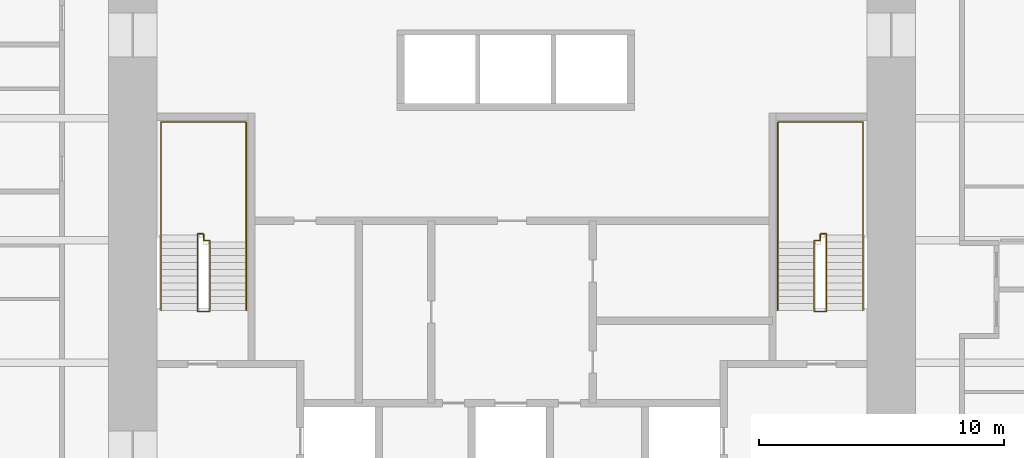
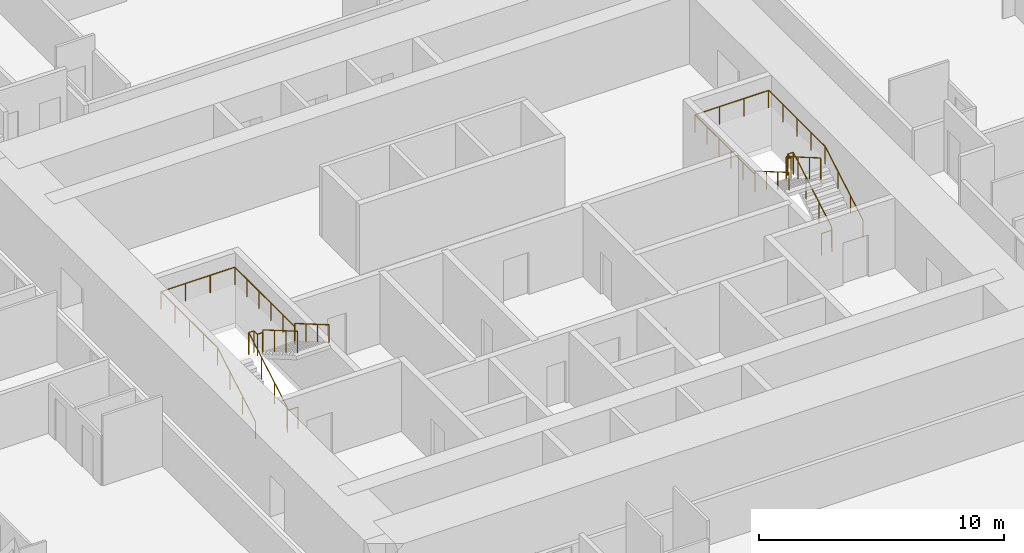
# One storey, part 17 of 17: 4 railings.
"""IFC4 building model written with IfcOpenShell, lengths in metres."""

from ifc_helpers import new_model, si_unit, direction, frame, origin, origin_2d, place, context, subcontext, project, spatial, circle, extrude, material, type_object, element, save


model = new_model("IFC4")

# Units and contexts
model_context = context("Model", 3, precision=1e-05, world=origin(), true_north=direction((0.0, 1.0)))
body_context = subcontext(model_context, "Body", "Model", "MODEL_VIEW")
ifc_project = project(units=[si_unit("LENGTHUNIT", "METRE"), si_unit("AREAUNIT", "SQUARE_METRE"), si_unit("VOLUMEUNIT", "CUBIC_METRE"), si_unit("PLANEANGLEUNIT", "RADIAN"), si_unit("MASSUNIT", "GRAM", prefix="KILO")], contexts=[model_context])

# Site, building, storey
site_placement = place(None, origin())
site = spatial("IfcSite", under=ifc_project, at=site_placement, CompositionType="ELEMENT")
building_placement = place(site_placement, origin())
building = spatial("IfcBuilding", under=site, at=building_placement, Name="Khuree Lantern Residences", CompositionType="ELEMENT")
storey_placement = place(building_placement, frame((0.0, 0.0, 39.75)))
storey = spatial("IfcBuildingStorey", under=building, at=storey_placement, Name="L09", CompositionType="ELEMENT", Elevation=39.75)

# Railings
ifc_material = material(Name="Steel S355", Category="steel")
railing_type_1 = type_object("IfcRailingType", Name="STAIR GUARD G1 1100", PredefinedType="GUARDRAIL", material=ifc_material)
railing_1_placement = place(storey_placement, frame((-12.35009765625, -2.909912109375, 0.0)))
element("IfcRailing", 1, at=railing_1_placement, inside=storey, type_object=railing_type_1, Name="Stair ST1 guard", PredefinedType="GUARDRAIL", context=body_context, shape_type="SweptSolid", body=[
    extrude(circle(Radius=0.02392578125, at=origin_2d()), frame((0.0, 0.0, 1.076171875), z_axis=(-1.0, 0.0, 0.0), x_axis=(0.0, -1.0, 0.0)), (0.0, 0.0, 1.0), 0.5),
    extrude(circle(Radius=0.02392578125, at=origin_2d()), frame((-0.5, 0.0, 1.076171875), z_axis=(0.0, 0.292073035251, 0.95639601739), x_axis=(-1.0, 0.0, 0.0)), (0.0, 0.0, 1.0), 0.17041015625),
    extrude(circle(Radius=0.02392578125, at=origin_2d()), frame((-0.5, 0.0498046875, 1.2392578125), z_axis=(0.0, 0.864176135923, 0.503189433615), x_axis=(-1.0, 0.0, 0.0)), (0.0, 0.0, 1.0), 3.564208984375),
    extrude(circle(Radius=0.02392578125, at=origin_2d()), frame((-0.5, 3.1298828125, 3.03271484375), z_axis=(0.0, 1.0, 0.0), x_axis=(-1.0, 0.0, 0.0)), (0.0, 0.0, 1.0), 0.050048828125),
    extrude(circle(Radius=0.02392578125, at=origin_2d()), frame((-0.5, 3.179931640625, 3.03271484375), z_axis=(1.0, 0.0, 0.0), x_axis=(0.0, 1.0, 0.0)), (0.0, 0.0, 1.0), 0.25),
    extrude(circle(Radius=0.02392578125, at=origin_2d()), frame((-0.25, 3.179931640625, 3.03271484375), z_axis=(0.0, -1.0, 0.0), x_axis=(1.0, 0.0, 0.0)), (0.0, 0.0, 1.0), 0.280029296875),
    extrude(circle(Radius=0.02392578125, at=origin_2d()), frame((-0.25, 2.89990234375, 3.03271484375), z_axis=(1.0, 0.0, 0.0), x_axis=(0.0, 1.0, 0.0)), (0.0, 0.0, 1.0), 0.25),
    extrude(circle(Radius=0.02392578125, at=origin_2d()), frame((0.0, 2.89990234375, 3.03271484375), z_axis=(0.0, -0.293381807449, 0.955995353053), x_axis=(1.0, 0.0, 0.0)), (0.0, 0.0, 1.0), 0.170654296875),
    extrude(circle(Radius=0.02392578125, at=origin_2d()), frame((0.0, 2.849853515625, 3.19580078125), z_axis=(0.0, -0.864180358799, 0.503182181189), x_axis=(1.0, 0.0, 0.0)), (0.0, 0.0, 1.0), 3.240234375),
    extrude(circle(Radius=0.02099609375, at=origin_2d()), origin(), (0.0, 0.0, 1.0), 1.052001953125),
    extrude(circle(Radius=0.02099609375, at=origin_2d()), frame((-0.5, 0.0, 0.0)), (0.0, 0.0, 1.0), 1.052001953125),
    extrude(circle(Radius=0.02099609375, at=origin_2d()), frame((-0.5, 0.0498046875, 0.1630859375)), (0.0, 0.0, 1.0), 1.052001953125),
    extrude(circle(Radius=0.02099609375, at=origin_2d()), frame((-0.5, 1.076416015625, 0.760986328125)), (0.0, 0.0, 1.0), 1.052001953125),
    extrude(circle(Radius=0.02099609375, at=origin_2d()), frame((-0.5, 2.103271484375, 1.358642578125)), (0.0, 0.0, 1.0), 1.052001953125),
    extrude(circle(Radius=0.02099609375, at=origin_2d()), frame((-0.5, 3.1298828125, 1.95654296875)), (0.0, 0.0, 1.0), 1.052001953125),
    extrude(circle(Radius=0.02099609375, at=origin_2d()), frame((-0.5, 3.179931640625, 1.95654296875)), (0.0, 0.0, 1.0), 1.052001953125),
    extrude(circle(Radius=0.02099609375, at=origin_2d()), frame((-0.25, 3.179931640625, 1.95654296875)), (0.0, 0.0, 1.0), 1.052001953125),
    extrude(circle(Radius=0.02099609375, at=origin_2d()), frame((-0.25, 2.89990234375, 1.95654296875)), (0.0, 0.0, 1.0), 1.052001953125),
    extrude(circle(Radius=0.02099609375, at=origin_2d()), frame((0.0, 2.89990234375, 1.95654296875)), (0.0, 0.0, 1.0), 1.052001953125),
    extrude(circle(Radius=0.02099609375, at=origin_2d()), frame((0.0, 2.849853515625, 2.11962890625)), (0.0, 0.0, 1.0), 1.052001953125),
    extrude(circle(Radius=0.02099609375, at=origin_2d()), frame((0.0, 1.91650390625, 2.6630859375)), (0.0, 0.0, 1.0), 1.052001953125),
    extrude(circle(Radius=0.02099609375, at=origin_2d()), frame((0.0, 0.983154296875, 3.20654296875)), (0.0, 0.0, 1.0), 1.052001953125),
    extrude(circle(Radius=0.02099609375, at=origin_2d()), frame((0.0, 0.0498046875, 3.75)), (0.0, 0.0, 1.0), 1.052001953125),
])
railing_2_placement = place(storey_placement, frame((12.35009765625, -2.909912109375, 0.0)))
element("IfcRailing", 2, at=railing_2_placement, inside=storey, type_object=railing_type_1, Name="Stair ST2 guard", PredefinedType="GUARDRAIL", context=body_context, shape_type="SweptSolid", body=[
    extrude(circle(Radius=0.02392578125, at=origin_2d()), frame((0.0, 0.0, 1.076171875), z_axis=(1.0, 0.0, 0.0), x_axis=(0.0, 1.0, 0.0)), (0.0, 0.0, 1.0), 0.5),
    extrude(circle(Radius=0.02392578125, at=origin_2d()), frame((0.5, 0.0, 1.076171875), z_axis=(0.0, 0.292073035251, 0.95639601739), x_axis=(-1.0, 0.0, 0.0)), (0.0, 0.0, 1.0), 0.17041015625),
    extrude(circle(Radius=0.02392578125, at=origin_2d()), frame((0.5, 0.0498046875, 1.2392578125), z_axis=(0.0, 0.864176135923, 0.503189433615), x_axis=(-1.0, 0.0, 0.0)), (0.0, 0.0, 1.0), 3.564208984375),
    extrude(circle(Radius=0.02392578125, at=origin_2d()), frame((0.5, 3.1298828125, 3.03271484375), z_axis=(0.0, 1.0, 0.0), x_axis=(-1.0, 0.0, 0.0)), (0.0, 0.0, 1.0), 0.050048828125),
    extrude(circle(Radius=0.02392578125, at=origin_2d()), frame((0.5, 3.179931640625, 3.03271484375), z_axis=(-1.0, 0.0, 0.0), x_axis=(0.0, -1.0, 0.0)), (0.0, 0.0, 1.0), 0.25),
    extrude(circle(Radius=0.02392578125, at=origin_2d()), frame((0.25, 3.179931640625, 3.03271484375), z_axis=(0.0, -1.0, 0.0), x_axis=(1.0, 0.0, 0.0)), (0.0, 0.0, 1.0), 0.280029296875),
    extrude(circle(Radius=0.02392578125, at=origin_2d()), frame((0.25, 2.89990234375, 3.03271484375), z_axis=(-1.0, 0.0, 0.0), x_axis=(0.0, -1.0, 0.0)), (0.0, 0.0, 1.0), 0.25),
    extrude(circle(Radius=0.02392578125, at=origin_2d()), frame((0.0, 2.89990234375, 3.03271484375), z_axis=(0.0, -0.293381807449, 0.955995353053), x_axis=(1.0, 0.0, 0.0)), (0.0, 0.0, 1.0), 0.170654296875),
    extrude(circle(Radius=0.02392578125, at=origin_2d()), frame((0.0, 2.849853515625, 3.19580078125), z_axis=(0.0, -0.864180358799, 0.503182181189), x_axis=(1.0, 0.0, 0.0)), (0.0, 0.0, 1.0), 3.240234375),
    extrude(circle(Radius=0.02099609375, at=origin_2d()), origin(), (0.0, 0.0, 1.0), 1.052001953125),
    extrude(circle(Radius=0.02099609375, at=origin_2d()), frame((0.5, 0.0, 0.0)), (0.0, 0.0, 1.0), 1.052001953125),
    extrude(circle(Radius=0.02099609375, at=origin_2d()), frame((0.5, 0.0498046875, 0.1630859375)), (0.0, 0.0, 1.0), 1.052001953125),
    extrude(circle(Radius=0.02099609375, at=origin_2d()), frame((0.5, 1.076416015625, 0.760986328125)), (0.0, 0.0, 1.0), 1.052001953125),
    extrude(circle(Radius=0.02099609375, at=origin_2d()), frame((0.5, 2.103271484375, 1.358642578125)), (0.0, 0.0, 1.0), 1.052001953125),
    extrude(circle(Radius=0.02099609375, at=origin_2d()), frame((0.5, 3.1298828125, 1.95654296875)), (0.0, 0.0, 1.0), 1.052001953125),
    extrude(circle(Radius=0.02099609375, at=origin_2d()), frame((0.5, 3.179931640625, 1.95654296875)), (0.0, 0.0, 1.0), 1.052001953125),
    extrude(circle(Radius=0.02099609375, at=origin_2d()), frame((0.25, 3.179931640625, 1.95654296875)), (0.0, 0.0, 1.0), 1.052001953125),
    extrude(circle(Radius=0.02099609375, at=origin_2d()), frame((0.25, 2.89990234375, 1.95654296875)), (0.0, 0.0, 1.0), 1.052001953125),
    extrude(circle(Radius=0.02099609375, at=origin_2d()), frame((0.0, 2.89990234375, 1.95654296875)), (0.0, 0.0, 1.0), 1.052001953125),
    extrude(circle(Radius=0.02099609375, at=origin_2d()), frame((0.0, 2.849853515625, 2.11962890625)), (0.0, 0.0, 1.0), 1.052001953125),
    extrude(circle(Radius=0.02099609375, at=origin_2d()), frame((0.0, 1.91650390625, 2.6630859375)), (0.0, 0.0, 1.0), 1.052001953125),
    extrude(circle(Radius=0.02099609375, at=origin_2d()), frame((0.0, 0.983154296875, 3.20654296875)), (0.0, 0.0, 1.0), 1.052001953125),
    extrude(circle(Radius=0.02099609375, at=origin_2d()), frame((0.0, 0.0498046875, 3.75)), (0.0, 0.0, 1.0), 1.052001953125),
])
railing_type_2 = type_object("IfcRailingType", Name="STAIR HANDRAIL H1 900", PredefinedType="HANDRAIL", material=ifc_material)
railing_3_placement = place(storey_placement, frame((-14.340087890625, -2.860107421875, 0.1630859375)))
element("IfcRailing", 3, at=railing_3_placement, inside=storey, type_object=railing_type_2, Name="Stair ST1 handrail", PredefinedType="HANDRAIL", context=body_context, shape_type="SweptSolid", body=[
    extrude(circle(Radius=0.02392578125, at=origin_2d()), frame((0.0, 0.0, 0.8759765625), z_axis=(0.0, 0.864176135923, 0.503189433615), x_axis=(-1.0, 0.0, 0.0)), (0.0, 0.0, 1.0), 3.564208984375),
    extrude(circle(Radius=0.02392578125, at=origin_2d()), frame((0.0, 3.080078125, 2.66943359375), z_axis=(0.0, 1.0, 0.0), x_axis=(-1.0, 0.0, 0.0)), (0.0, 0.0, 1.0), 4.6201171875),
    extrude(circle(Radius=0.02392578125, at=origin_2d()), frame((0.0, 7.7001953125, 2.66943359375), z_axis=(1.0, 0.0, 0.0), x_axis=(0.0, 1.0, 0.0)), (0.0, 0.0, 1.0), 3.47998046875),
    extrude(circle(Radius=0.02392578125, at=origin_2d()), frame((3.47998046875, 7.7001953125, 2.66943359375), z_axis=(0.0, -1.0, 0.0), x_axis=(1.0, 0.0, 0.0)), (0.0, 0.0, 1.0), 4.900146484375),
    extrude(circle(Radius=0.02392578125, at=origin_2d()), frame((3.47998046875, 2.800048828125, 2.66943359375), z_axis=(0.0, 0.0, 1.0), x_axis=(1.0, 0.0, 0.0)), (0.0, 0.0, 1.0), 0.1630859375),
    extrude(circle(Radius=0.02392578125, at=origin_2d()), frame((3.47998046875, 2.800048828125, 2.83251953125), z_axis=(0.0, -0.864180358799, 0.503182181189), x_axis=(1.0, 0.0, 0.0)), (0.0, 0.0, 1.0), 3.240234375),
    extrude(circle(Radius=0.02099609375, at=origin_2d()), origin(), (0.0, 0.0, 1.0), 0.851806640625),
    extrude(circle(Radius=0.02099609375, at=origin_2d()), frame((0.0, 1.026611328125, 0.597900390625)), (0.0, 0.0, 1.0), 0.851806640625),
    extrude(circle(Radius=0.02099609375, at=origin_2d()), frame((0.0, 2.053466796875, 1.195556640625)), (0.0, 0.0, 1.0), 0.851806640625),
    extrude(circle(Radius=0.02099609375, at=origin_2d()), frame((0.0, 3.080078125, 1.79345703125)), (0.0, 0.0, 1.0), 0.851806640625),
    extrude(circle(Radius=0.02099609375, at=origin_2d()), frame((0.0, 4.235107421875, 1.79345703125)), (0.0, 0.0, 1.0), 0.851806640625),
    extrude(circle(Radius=0.02099609375, at=origin_2d()), frame((0.0, 5.39013671875, 1.79345703125)), (0.0, 0.0, 1.0), 0.851806640625),
    extrude(circle(Radius=0.02099609375, at=origin_2d()), frame((0.0, 6.545166015625, 1.79345703125)), (0.0, 0.0, 1.0), 0.851806640625),
    extrude(circle(Radius=0.02099609375, at=origin_2d()), frame((0.0, 7.7001953125, 1.79345703125)), (0.0, 0.0, 1.0), 0.851806640625),
    extrude(circle(Radius=0.02099609375, at=origin_2d()), frame((1.159912109375, 7.7001953125, 1.79345703125)), (0.0, 0.0, 1.0), 0.851806640625),
    extrude(circle(Radius=0.02099609375, at=origin_2d()), frame((2.320068359375, 7.7001953125, 1.79345703125)), (0.0, 0.0, 1.0), 0.851806640625),
    extrude(circle(Radius=0.02099609375, at=origin_2d()), frame((3.47998046875, 7.7001953125, 1.79345703125)), (0.0, 0.0, 1.0), 0.851806640625),
    extrude(circle(Radius=0.02099609375, at=origin_2d()), frame((3.47998046875, 6.72021484375, 1.79345703125)), (0.0, 0.0, 1.0), 0.851806640625),
    extrude(circle(Radius=0.02099609375, at=origin_2d()), frame((3.47998046875, 5.740234375, 1.79345703125)), (0.0, 0.0, 1.0), 0.851806640625),
    extrude(circle(Radius=0.02099609375, at=origin_2d()), frame((3.47998046875, 4.760009765625, 1.79345703125)), (0.0, 0.0, 1.0), 0.851806640625),
    extrude(circle(Radius=0.02099609375, at=origin_2d()), frame((3.47998046875, 3.780029296875, 1.79345703125)), (0.0, 0.0, 1.0), 0.851806640625),
    extrude(circle(Radius=0.02099609375, at=origin_2d()), frame((3.47998046875, 2.800048828125, 1.79345703125)), (0.0, 0.0, 1.0), 0.851806640625),
    extrude(circle(Radius=0.02099609375, at=origin_2d()), frame((3.47998046875, 2.800048828125, 1.95654296875)), (0.0, 0.0, 1.0), 0.851806640625),
    extrude(circle(Radius=0.02099609375, at=origin_2d()), frame((3.47998046875, 1.86669921875, 2.5)), (0.0, 0.0, 1.0), 0.851806640625),
    extrude(circle(Radius=0.02099609375, at=origin_2d()), frame((3.47998046875, 0.933349609375, 3.04345703125)), (0.0, 0.0, 1.0), 0.851806640625),
    extrude(circle(Radius=0.02099609375, at=origin_2d()), frame((3.47998046875, 0.0, 3.5869140625)), (0.0, 0.0, 1.0), 0.851806640625),
])
railing_4_placement = place(storey_placement, frame((14.340087890625, -2.860107421875, 0.1630859375)))
element("IfcRailing", 4, at=railing_4_placement, inside=storey, type_object=railing_type_2, Name="Stair ST2 handrail", PredefinedType="HANDRAIL", context=body_context, shape_type="SweptSolid", body=[
    extrude(circle(Radius=0.02392578125, at=origin_2d()), frame((0.0, 0.0, 0.8759765625), z_axis=(0.0, 0.864176135923, 0.503189433615), x_axis=(-1.0, 0.0, 0.0)), (0.0, 0.0, 1.0), 3.564208984375),
    extrude(circle(Radius=0.02392578125, at=origin_2d()), frame((0.0, 3.080078125, 2.66943359375), z_axis=(0.0, 1.0, 0.0), x_axis=(-1.0, 0.0, 0.0)), (0.0, 0.0, 1.0), 4.6201171875),
    extrude(circle(Radius=0.02392578125, at=origin_2d()), frame((0.0, 7.7001953125, 2.66943359375), z_axis=(-1.0, 0.0, 0.0), x_axis=(0.0, -1.0, 0.0)), (0.0, 0.0, 1.0), 3.47998046875),
    extrude(circle(Radius=0.02392578125, at=origin_2d()), frame((-3.47998046875, 7.7001953125, 2.66943359375), z_axis=(0.0, -1.0, 0.0), x_axis=(1.0, 0.0, 0.0)), (0.0, 0.0, 1.0), 4.900146484375),
    extrude(circle(Radius=0.02392578125, at=origin_2d()), frame((-3.47998046875, 2.800048828125, 2.66943359375), z_axis=(0.0, 0.0, 1.0), x_axis=(1.0, 0.0, 0.0)), (0.0, 0.0, 1.0), 0.1630859375),
    extrude(circle(Radius=0.02392578125, at=origin_2d()), frame((-3.47998046875, 2.800048828125, 2.83251953125), z_axis=(0.0, -0.864180358799, 0.503182181189), x_axis=(1.0, 0.0, 0.0)), (0.0, 0.0, 1.0), 3.240234375),
    extrude(circle(Radius=0.02099609375, at=origin_2d()), origin(), (0.0, 0.0, 1.0), 0.851806640625),
    extrude(circle(Radius=0.02099609375, at=origin_2d()), frame((0.0, 1.026611328125, 0.597900390625)), (0.0, 0.0, 1.0), 0.851806640625),
    extrude(circle(Radius=0.02099609375, at=origin_2d()), frame((0.0, 2.053466796875, 1.195556640625)), (0.0, 0.0, 1.0), 0.851806640625),
    extrude(circle(Radius=0.02099609375, at=origin_2d()), frame((0.0, 3.080078125, 1.79345703125)), (0.0, 0.0, 1.0), 0.851806640625),
    extrude(circle(Radius=0.02099609375, at=origin_2d()), frame((0.0, 4.235107421875, 1.79345703125)), (0.0, 0.0, 1.0), 0.851806640625),
    extrude(circle(Radius=0.02099609375, at=origin_2d()), frame((0.0, 5.39013671875, 1.79345703125)), (0.0, 0.0, 1.0), 0.851806640625),
    extrude(circle(Radius=0.02099609375, at=origin_2d()), frame((0.0, 6.545166015625, 1.79345703125)), (0.0, 0.0, 1.0), 0.851806640625),
    extrude(circle(Radius=0.02099609375, at=origin_2d()), frame((0.0, 7.7001953125, 1.79345703125)), (0.0, 0.0, 1.0), 0.851806640625),
    extrude(circle(Radius=0.02099609375, at=origin_2d()), frame((-1.159912109375, 7.7001953125, 1.79345703125)), (0.0, 0.0, 1.0), 0.851806640625),
    extrude(circle(Radius=0.02099609375, at=origin_2d()), frame((-2.320068359375, 7.7001953125, 1.79345703125)), (0.0, 0.0, 1.0), 0.851806640625),
    extrude(circle(Radius=0.02099609375, at=origin_2d()), frame((-3.47998046875, 7.7001953125, 1.79345703125)), (0.0, 0.0, 1.0), 0.851806640625),
    extrude(circle(Radius=0.02099609375, at=origin_2d()), frame((-3.47998046875, 6.72021484375, 1.79345703125)), (0.0, 0.0, 1.0), 0.851806640625),
    extrude(circle(Radius=0.02099609375, at=origin_2d()), frame((-3.47998046875, 5.740234375, 1.79345703125)), (0.0, 0.0, 1.0), 0.851806640625),
    extrude(circle(Radius=0.02099609375, at=origin_2d()), frame((-3.47998046875, 4.760009765625, 1.79345703125)), (0.0, 0.0, 1.0), 0.851806640625),
    extrude(circle(Radius=0.02099609375, at=origin_2d()), frame((-3.47998046875, 3.780029296875, 1.79345703125)), (0.0, 0.0, 1.0), 0.851806640625),
    extrude(circle(Radius=0.02099609375, at=origin_2d()), frame((-3.47998046875, 2.800048828125, 1.79345703125)), (0.0, 0.0, 1.0), 0.851806640625),
    extrude(circle(Radius=0.02099609375, at=origin_2d()), frame((-3.47998046875, 2.800048828125, 1.95654296875)), (0.0, 0.0, 1.0), 0.851806640625),
    extrude(circle(Radius=0.02099609375, at=origin_2d()), frame((-3.47998046875, 1.86669921875, 2.5)), (0.0, 0.0, 1.0), 0.851806640625),
    extrude(circle(Radius=0.02099609375, at=origin_2d()), frame((-3.47998046875, 0.933349609375, 3.04345703125)), (0.0, 0.0, 1.0), 0.851806640625),
    extrude(circle(Radius=0.02099609375, at=origin_2d()), frame((-3.47998046875, 0.0, 3.5869140625)), (0.0, 0.0, 1.0), 0.851806640625),
])

save(model, "model.ifc")
